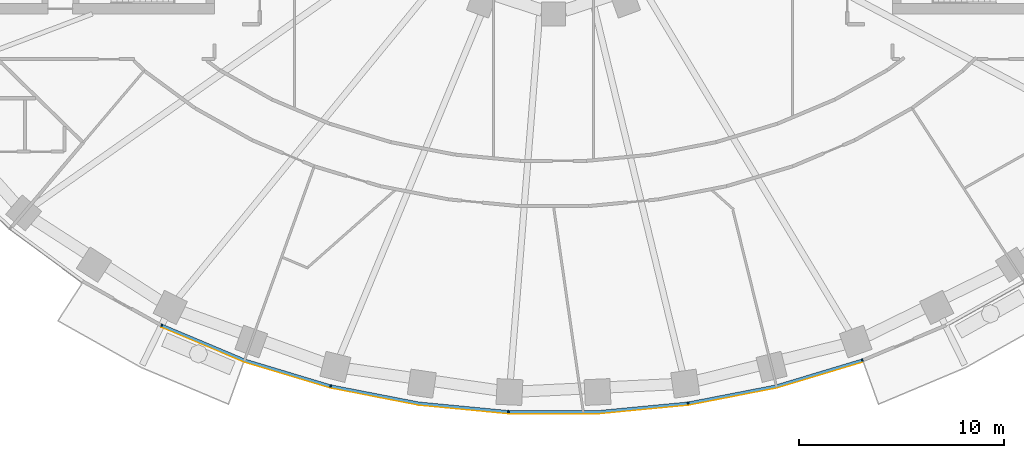
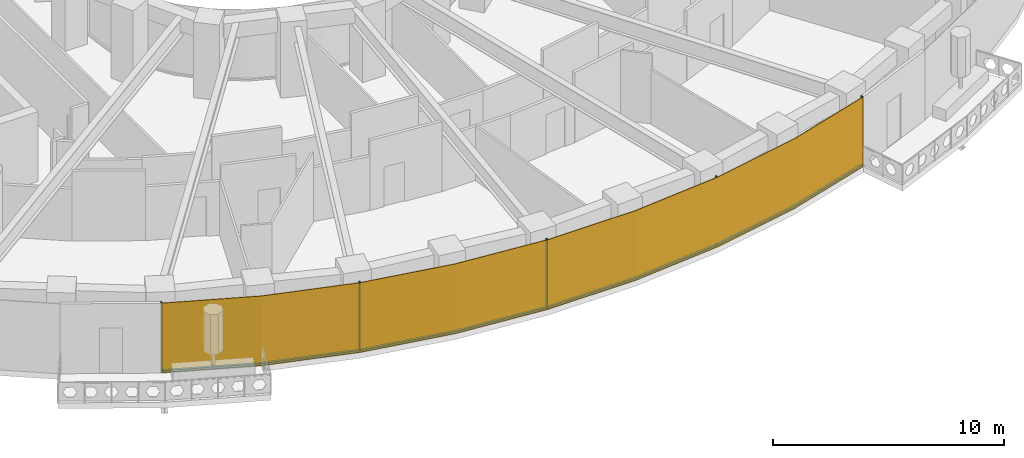
# One storey, part 10 of 16: 9 members, 1 curtain wall.
"""IFC4 building model written with IfcOpenShell, lengths in metres."""

from ifc_helpers import new_model, si_unit, direction, frame, origin, origin_2d, place, context, subcontext, project, spatial, polyline, rectangle, outline, extrude, material, layer, layer_set, material_profile, profile_set, type_object, element, aggregate, save


model = new_model("IFC4")

# Units and contexts
model_context = context("Model", 3, precision=1e-05, world=origin(), true_north=direction((0.0, 1.0)))
body_context = subcontext(model_context, "Body", "Model", "MODEL_VIEW")
ifc_project = project(units=[si_unit("LENGTHUNIT", "METRE"), si_unit("AREAUNIT", "SQUARE_METRE"), si_unit("VOLUMEUNIT", "CUBIC_METRE"), si_unit("PLANEANGLEUNIT", "RADIAN"), si_unit("MASSUNIT", "GRAM", prefix="KILO")], contexts=[model_context])

# Member
ifc_material_1 = material(Name="Aluminium 6063-T6 black anodised", Category="aluminium")
ifc_material_profile = material_profile(ifc_material_1, rectangle(XDim=0.1201171875, YDim=0.06005859375, at=origin_2d()), Name="120x60")
ifc_profile_set = profile_set([ifc_material_profile], Name="Aluminium 6063-T6 black anodised")
member_type_1 = type_object("IfcMemberType", Name="ENV-MULLION-A-120", PredefinedType="MULLION", material=ifc_profile_set)
site_placement = place(None, origin())
building_placement = place(site_placement, origin())
storey_placement = place(building_placement, frame((0.0, 0.0, 116.0)))
member_1_placement = place(storey_placement, frame((-19.06787109375, -23.6474609375, 0.0), z_axis=(0.0, 0.0, 1.0), x_axis=(0.439237769837, 0.898370848563, 0.0)))
member_1 = element("IfcMember", 1, at=member_1_placement, type_object=member_type_1, Name="Mullion A radial 31", PredefinedType="MULLION", context=body_context, shape_type="SweptSolid", body=[
    extrude(rectangle(XDim=0.1201171875, YDim=0.06005859375, at=origin_2d()), origin(), (0.0, 0.0, 1.0), 3.699951171875),
])

member_2_placement = place(storey_placement, frame((-10.84326171875, -26.60498046875, 0.0), z_axis=(0.0, 0.0, 1.0), x_axis=(0.239799081534, 0.970822538106, 0.0)))
member_2 = element("IfcMember", 2, at=member_2_placement, type_object=member_type_1, Name="Mullion A radial 33", PredefinedType="MULLION", context=body_context, shape_type="SweptSolid", body=[
    extrude(rectangle(XDim=0.1201171875, YDim=0.06005859375, at=origin_2d()), origin(), (0.0, 0.0, 1.0), 3.699951171875),
])

member_3_placement = place(storey_placement, frame((-2.188720703125, -27.856201171875, 0.0), z_axis=(0.0, 0.0, 1.0), x_axis=(0.047557873581, 0.998868484166, 0.0)))
member_3 = element("IfcMember", 3, at=member_3_placement, type_object=member_type_1, Name="Mullion A radial 35", PredefinedType="MULLION", context=body_context, shape_type="SweptSolid", body=[
    extrude(rectangle(XDim=0.1201171875, YDim=0.06005859375, at=origin_2d()), origin(), (0.0, 0.0, 1.0), 3.699951171875),
])

member_4_placement = place(storey_placement, frame((6.54638671875, -27.440185546875, 0.0), z_axis=(0.0, 0.0, 1.0), x_axis=(-0.143082012705, 0.989710835366, 0.0)))
member_4 = element("IfcMember", 4, at=member_4_placement, type_object=member_type_1, Name="Mullion A radial 37", PredefinedType="MULLION", context=body_context, shape_type="SweptSolid", body=[
    extrude(rectangle(XDim=0.1201171875, YDim=0.06005859375, at=origin_2d()), origin(), (0.0, 0.0, 1.0), 3.699951171875),
])

member_5_placement = place(storey_placement, frame((15.0341796875, -25.34375, 0.0), z_axis=(0.0, 0.0, 1.0), x_axis=(-0.338379256581, 0.941009818608, 0.0)))
member_5 = element("IfcMember", 5, at=member_5_placement, type_object=member_type_1, Name="Mullion A radial 39", PredefinedType="MULLION", context=body_context, shape_type="SweptSolid", body=[
    extrude(rectangle(XDim=0.1201171875, YDim=0.06005859375, at=origin_2d()), origin(), (0.0, 0.0, 1.0), 3.699951171875),
])

ifc_material_2 = material(Name="Aluminium 6063-T6 black anodised", Category="aluminium")
member_type_2 = type_object("IfcMemberType", Name="ENV-TRANSOM-A", PredefinedType="USERDEFINED", material=ifc_material_2)
member_6_placement = place(storey_placement, origin())
member_6 = element("IfcMember", 6, at=member_6_placement, type_object=member_type_2, Name="Transom A radial 31-33", ObjectType="TRANSOM", PredefinedType="USERDEFINED", context=body_context, shape_type="SweptSolid", body=[
    extrude(outline(polyline([(-19.068359375, -23.71240234375), (-15.054443359375, -25.400146484375), (-10.884521484375, -26.655029296875), (-10.855712890625, -26.53857421875), (-15.013916015625, -25.287109375), (-19.015380859375, -23.604248046875), (-19.068359375, -23.71240234375)])), origin(), (0.0, 0.0, 1.0), 0.10009765625),
])

member_7_placement = place(storey_placement, origin())
member_7 = element("IfcMember", 7, at=member_7_placement, type_object=member_type_2, Name="Transom A radial 33-35", ObjectType="TRANSOM", PredefinedType="USERDEFINED", context=body_context, shape_type="SweptSolid", body=[
    extrude(outline(polyline([(-10.830078125, -26.66845703125), (-6.55517578125, -27.49951171875), (-2.219482421875, -27.913330078125), (-2.2138671875, -27.793212890625), (-6.537841796875, -27.380615234375), (-10.80126953125, -26.552001953125), (-10.830078125, -26.66845703125)])), origin(), (0.0, 0.0, 1.0), 0.10009765625),
])

member_8_placement = place(storey_placement, origin())
member_8 = element("IfcMember", 8, at=member_8_placement, type_object=member_type_2, Name="Transom A radial 35-37", ObjectType="TRANSOM", PredefinedType="USERDEFINED", context=body_context, shape_type="SweptSolid", body=[
    extrude(outline(polyline([(-2.163818359375, -27.916015625), (2.191650390625, -27.916015625), (6.527099609375, -27.502197265625), (6.510009765625, -27.38330078125), (2.185791015625, -27.7958984375), (-2.157958984375, -27.7958984375), (-2.163818359375, -27.916015625)])), origin(), (0.0, 0.0, 1.0), 0.10009765625),
])

member_9_placement = place(storey_placement, origin())
member_9 = element("IfcMember", 9, at=member_9_placement, type_object=member_type_2, Name="Transom A radial 37-39", ObjectType="TRANSOM", PredefinedType="USERDEFINED", context=body_context, shape_type="SweptSolid", body=[
    extrude(outline(polyline([(6.58251953125, -27.494140625), (10.857666015625, -26.6630859375), (15.027587890625, -25.408203125), (14.987060546875, -25.295166015625), (10.828857421875, -26.54638671875), (6.5654296875, -27.375244140625), (6.58251953125, -27.494140625)])), origin(), (0.0, 0.0, 1.0), 0.10009765625),
])

# Site, building, storey
site = spatial("IfcSite", under=ifc_project, at=site_placement, CompositionType="ELEMENT")
building = spatial("IfcBuilding", under=site, at=building_placement, Name="Noorbagh Ring Tower", CompositionType="ELEMENT")
storey = spatial("IfcBuildingStorey", under=building, at=storey_placement, Name="L26", CompositionType="ELEMENT", Elevation=116.0)

# Curtain wall
ifc_material_3 = material(Name="Glass dark tinted laminated", Category="glass")
ifc_layer = layer(ifc_material_3, 0.031982421875)
ifc_layer_set = layer_set([ifc_layer], Name="Glass dark tinted laminated")
curtain_wall_type = type_object("IfcCurtainWallType", Name="ENV-CW-A", PredefinedType="NOTDEFINED", material=ifc_layer_set)
curtain_wall_placement = place(storey_placement, origin())
curtain_wall = element("IfcCurtainWall", 10, at=curtain_wall_placement, inside=storey, type_object=curtain_wall_type, Name="Curtain wall A R31", PredefinedType="NOTDEFINED", context=body_context, shape_type="SweptSolid", body=[
    extrude(outline(polyline([(-19.08984375, -23.738037109375), (-15.065185546875, -25.430419921875), (-10.865234375, -26.6943359375), (-6.559814453125, -27.53125), (-2.193115234375, -27.947998046875), (2.193115234375, -27.947998046875), (6.559814453125, -27.53125), (10.865234375, -26.6943359375), (15.046142578125, -25.43603515625), (15.035400390625, -25.406005859375), (10.857666015625, -26.6630859375), (6.55517578125, -27.49951171875), (2.191650390625, -27.916015625), (-2.191650390625, -27.916015625), (-6.55517578125, -27.49951171875), (-10.857666015625, -26.6630859375), (-15.054443359375, -25.400146484375), (-19.07568359375, -23.709228515625), (-19.08984375, -23.738037109375)])), origin(), (0.0, 0.0, 1.0), 3.699951171875),
])

aggregate(curtain_wall, [member_1, member_2, member_3, member_4, member_5, member_6, member_7, member_8, member_9])

save(model, "model.ifc")
